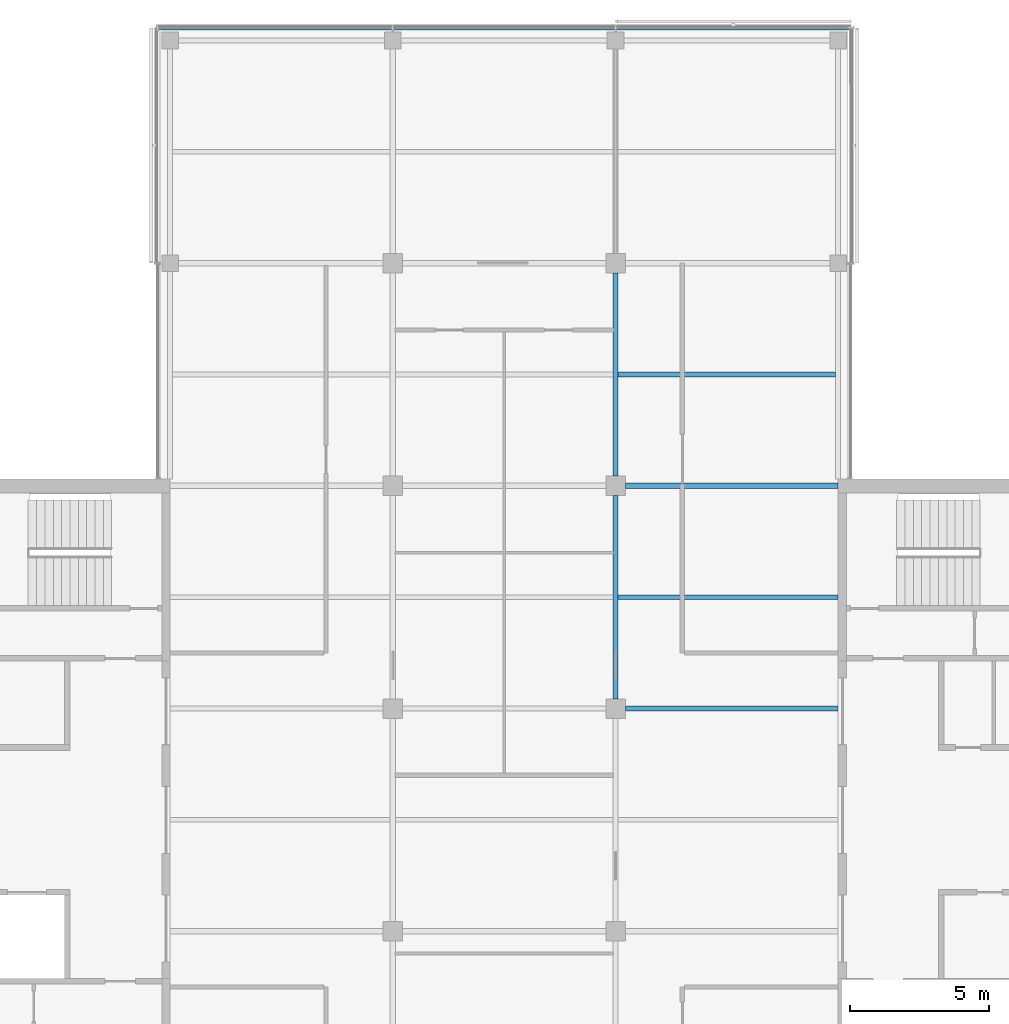
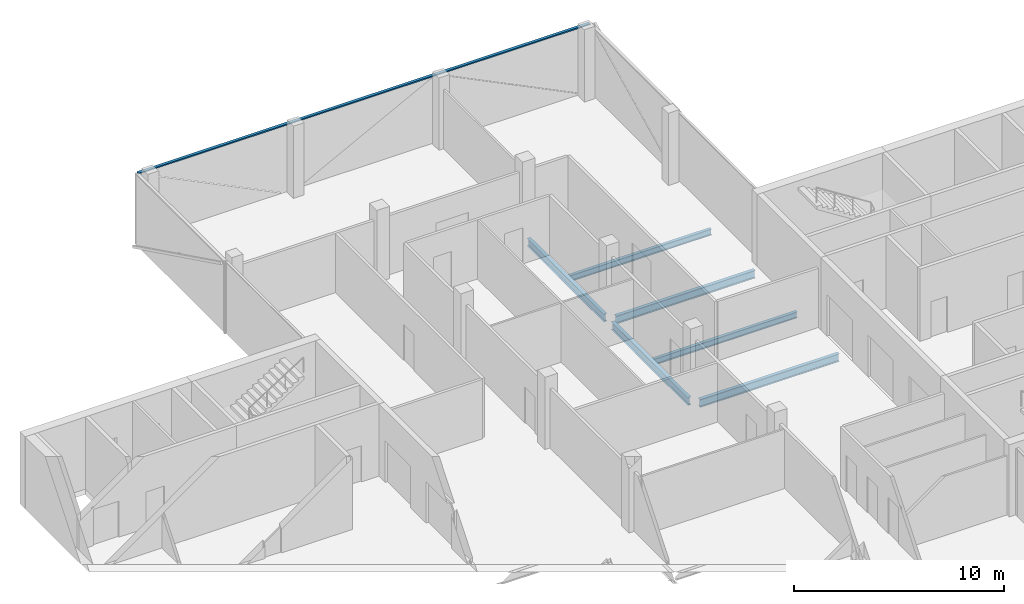
# One storey, part 6 of 15: 6 beams, 1 member, 1 element without a shape of its own.
"""IFC4 building model written with IfcOpenShell, lengths in metres."""

from ifc_helpers import new_model, si_unit, direction, frame, origin, origin_2d, place, context, subcontext, project, spatial, rectangle, i_section, extrude, material, material_profile, profile_set, type_object, element, aggregate, save


model = new_model("IFC4")

# Units and contexts
model_context = context("Model", 3, precision=1e-05, world=origin(), true_north=direction((0.0, 1.0)))
body_context = subcontext(model_context, "Body", "Model", "MODEL_VIEW")
ifc_project = project(units=[si_unit("LENGTHUNIT", "METRE"), si_unit("AREAUNIT", "SQUARE_METRE"), si_unit("VOLUMEUNIT", "CUBIC_METRE"), si_unit("PLANEANGLEUNIT", "RADIAN"), si_unit("MASSUNIT", "GRAM", prefix="KILO")], contexts=[model_context])

# Site, building, storey
site_placement = place(None, origin())
site = spatial("IfcSite", under=ifc_project, at=site_placement, CompositionType="ELEMENT")
building_placement = place(site_placement, origin())
building = spatial("IfcBuilding", under=site, at=building_placement, Name="Crosswind Convention Tower", CompositionType="ELEMENT")
storey_placement = place(building_placement, frame((0.0, 0.0, 261.89990234375)))
storey = spatial("IfcBuildingStorey", under=building, at=storey_placement, Name="L56", CompositionType="ELEMENT", Elevation=261.89990234375)

# Beams
ifc_material_1 = material(Name="Steel S355", Category="steel")
ifc_material_profile_1 = material_profile(ifc_material_1, i_section(OverallWidth=0.18994140625, OverallDepth=0.45361328125, WebThickness=0.008544921875, FlangeThickness=0.0126953125, FilletRadius=0.01025390625, at=origin_2d()), Name="UB 457x191x67")
ifc_profile_set_1 = profile_set([ifc_material_profile_1], Name="Steel S355")
beam_type_1 = type_object("IfcBeamType", Name="Girder UB 457x191x67", PredefinedType="BEAM", material=ifc_profile_set_1)
for number, where, z_axis, x_axis, name in (
    (1, (129.0, 104.35009765625, -0.526611328125), (0.0, 1.0, 0.0), (-1.0, 0.0, 0.0), "B1 L56 girder 20"),
    (2, (129.0, 112.35009765625, -0.526611328125), (0.0, 1.0, 0.0), (-1.0, 0.0, 0.0), "B1 L56 girder 21"),
):
    element("IfcBeam", number, at=place(storey_placement, frame(where, z_axis=z_axis, x_axis=x_axis)), inside=storey, type_object=beam_type_1, Name=name, PredefinedType="BEAM", context=body_context, shape_type="SweptSolid", body=[
        extrude(i_section(OverallWidth=0.18994140625, OverallDepth=0.45361328125, WebThickness=0.008544921875, FlangeThickness=0.0126953125, FilletRadius=0.01025390625, at=origin_2d()), origin(), (0.0, 0.0, 1.0), 7.2998046875),
    ])
ifc_material_profile_2 = material_profile(ifc_material_1, i_section(OverallWidth=0.1904296875, OverallDepth=0.457275390625, WebThickness=0.009033203125, FlangeThickness=0.014404296875, FilletRadius=0.01025390625, at=origin_2d()), Name="UB 457x191x75")
ifc_profile_set_2 = profile_set([ifc_material_profile_2], Name="Steel S355")
beam_type_2 = type_object("IfcBeamType", Name="Girder at core wall UB 457x191x75", PredefinedType="BEAM", material=ifc_profile_set_2)
for number, where, z_axis, x_axis, name in (
    (3, (129.35009765625, 104.0, -0.528564453125), (1.0, 0.0, 0.0), (0.0, 1.0, 0.0), "B22 L56 girder at core wall 7"),
    (4, (129.35009765625, 112.0, -0.528564453125), (1.0, 0.0, 0.0), (0.0, 1.0, 0.0), "B22 L56 girder at core wall 8"),
):
    element("IfcBeam", number, at=place(storey_placement, frame(where, z_axis=z_axis, x_axis=x_axis)), inside=storey, type_object=beam_type_2, Name=name, PredefinedType="BEAM", context=body_context, shape_type="SweptSolid", body=[
        extrude(i_section(OverallWidth=0.1904296875, OverallDepth=0.457275390625, WebThickness=0.009033203125, FlangeThickness=0.014404296875, FilletRadius=0.01025390625, at=origin_2d()), origin(), (0.0, 0.0, 1.0), 7.64990234375),
    ])
ifc_material_profile_3 = material_profile(ifc_material_1, i_section(OverallWidth=0.17138671875, OverallDepth=0.355712890625, WebThickness=0.00732421875, FlangeThickness=0.011474609375, FilletRadius=0.01025390625, at=origin_2d()), Name="UB 356x171x51")
ifc_profile_set_3 = profile_set([ifc_material_profile_3], Name="Steel S355")
beam_type_3 = type_object("IfcBeamType", Name="Secondary beam UB 356x171x51", PredefinedType="JOIST", material=ifc_profile_set_3)
beam_1_placement = place(storey_placement, frame((129.094970703125, 108.0, -0.477783203125), z_axis=(1.0, 0.0, 0.0), x_axis=(0.0, 1.0, 0.0)))
element("IfcBeam", 5, at=beam_1_placement, inside=storey, type_object=beam_type_3, Name="B8 L56 secondary beam 19", PredefinedType="JOIST", context=body_context, shape_type="SweptSolid", body=[
    extrude(i_section(OverallWidth=0.17138671875, OverallDepth=0.355712890625, WebThickness=0.00732421875, FlangeThickness=0.011474609375, FilletRadius=0.01025390625, at=origin_2d()), origin(), (0.0, 0.0, 1.0), 7.905029296875),
])
beam_2_placement = place(storey_placement, frame((129.094970703125, 116.0, -0.477783203125), z_axis=(1.0, 0.0, 0.0), x_axis=(0.0, 1.0, 0.0)))
element("IfcBeam", 6, at=beam_2_placement, inside=storey, type_object=beam_type_3, Name="B8 L56 secondary beam 20", PredefinedType="JOIST", context=body_context, shape_type="SweptSolid", body=[
    extrude(i_section(OverallWidth=0.17138671875, OverallDepth=0.355712890625, WebThickness=0.00732421875, FlangeThickness=0.011474609375, FilletRadius=0.01025390625, at=origin_2d()), origin(), (0.0, 0.0, 1.0), 7.816162109375),
])

# Curtain wall, member
ifc_material_2 = material(Name="Aluminium unitised curtain wall", Category="aluminium")
curtain_wall_type = type_object("IfcCurtainWallType", Name="OFFICE UNITISED WALL 220", PredefinedType="USERDEFINED", material=ifc_material_2)
curtain_wall_placement = place(storey_placement, origin())
curtain_wall = element("IfcCurtainWall", 7, at=curtain_wall_placement, inside=storey, type_object=curtain_wall_type, Name="CW3 L56 N-TIP 1", ObjectType="UNITISED", PredefinedType="USERDEFINED")
ifc_material_3 = material(Name="Aluminium transom", Category="aluminium")
ifc_material_profile_4 = material_profile(ifc_material_3, rectangle(XDim=0.159912109375, YDim=0.070068359375, at=origin_2d()), Name="AL 160X70")
ifc_profile_set_4 = profile_set([ifc_material_profile_4], Name="Aluminium transom")
member_type = type_object("IfcMemberType", Name="TRANSOM 70X160", PredefinedType="USERDEFINED", material=ifc_profile_set_4)
member_placement = place(storey_placement, frame((137.425048828125, 128.4599609375, 3.864990234375), z_axis=(-1.0, 0.0, 0.0), x_axis=(0.0, -1.0, 0.0)))
member = element("IfcMember", 8, at=member_placement, type_object=member_type, Name="CW3 transom", ObjectType="TRANSOM", PredefinedType="USERDEFINED", context=body_context, shape_type="SweptSolid", body=[
    extrude(rectangle(XDim=0.159912109375, YDim=0.070068359375, at=origin_2d()), origin(), (0.0, 0.0, 1.0), 24.85009765625),
])
aggregate(curtain_wall, [member])

save(model, "model.ifc")
